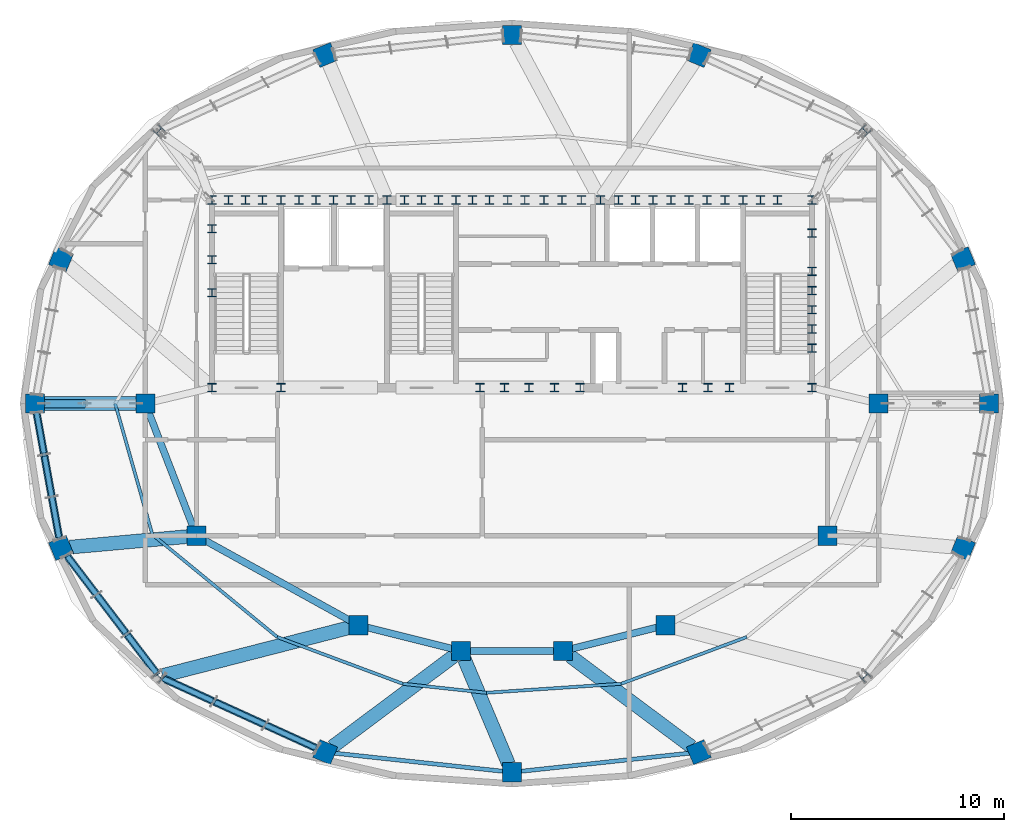
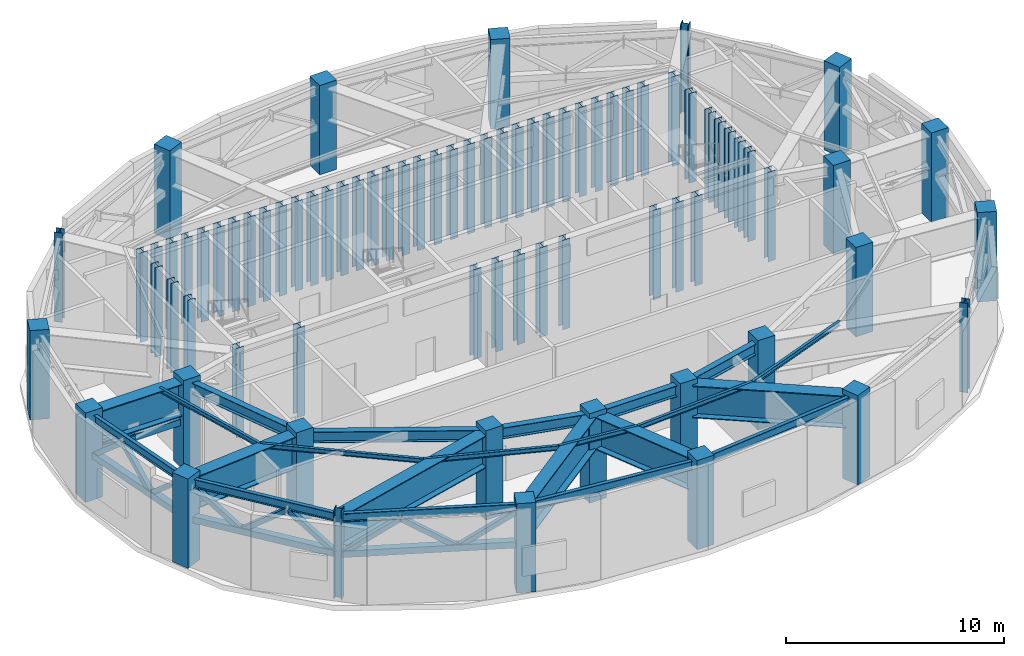
# One storey, part 1 of 15: 78 columns, 22 beams, 14 members.
"""IFC4 building model written with IfcOpenShell, lengths in metres."""

from ifc_helpers import new_model, si_unit, direction, frame, origin, origin_2d, place, context, subcontext, project, spatial, rectangle, hollow_rectangle, hollow_circle, i_section, extrude, material, material_profile, profile_set, type_object, element, save


model = new_model("IFC4")

# Units and contexts
model_context = context("Model", 3, precision=1e-05, world=origin(), true_north=direction((0.0, 1.0)))
body_context = subcontext(model_context, "Body", "Model", "MODEL_VIEW")
ifc_project = project(units=[si_unit("LENGTHUNIT", "METRE"), si_unit("AREAUNIT", "SQUARE_METRE"), si_unit("VOLUMEUNIT", "CUBIC_METRE"), si_unit("PLANEANGLEUNIT", "RADIAN"), si_unit("MASSUNIT", "GRAM", prefix="KILO")], contexts=[model_context])

# Site, building, storey
site_placement = place(None, origin())
site = spatial("IfcSite", under=ifc_project, at=site_placement, CompositionType="ELEMENT")
building_placement = place(site_placement, origin())
building = spatial("IfcBuilding", under=site, at=building_placement, Name="Haldorwick Loom Tower", CompositionType="ELEMENT")
storey_placement = place(building_placement, frame((0.0, 0.0, 286.5)))
storey = spatial("IfcBuildingStorey", under=building, at=storey_placement, Name="L77", CompositionType="ELEMENT", Elevation=286.5)

# Columns
ifc_material_1 = material(Name="Concrete C50 (50 MPa)", Category="concrete")
ifc_material_profile_1 = material_profile(ifc_material_1, rectangle(XDim=0.89990234375, YDim=0.89990234375, at=origin_2d()), Name="RC900X900", Category="concrete")
ifc_profile_set_1 = profile_set([ifc_material_profile_1], Name="Concrete C50 (50 MPa)")
column_type_1 = type_object("IfcColumnType", Name="STR-COL-RC900", PredefinedType="COLUMN", material=ifc_profile_set_1)
for number, where, z_axis, x_axis, name in (
    (1, (53.199951171875, 26.0, 0.0), (0.0, 0.0, 1.0), (1.0, 0.0, 0.0), "L77 Inner Column IC-01"),
    (2, (50.800048828125, 19.800048828125, 0.0), (0.0, 0.0, 1.0), (1.0, 0.0, 0.0), "L77 Inner Column IC-02"),
    (3, (43.199951171875, 15.60009765625, 0.0), (0.0, 0.0, 1.0), (1.0, 0.0, 0.0), "L77 Inner Column IC-03"),
    (4, (38.39990234375, 14.39990234375, 0.0), (0.0, 0.0, 1.0), (1.0, 0.0, 0.0), "L77 Inner Column IC-04"),
    (5, (33.60009765625, 14.39990234375, 0.0), (0.0, 0.0, 1.0), (1.0, 0.0, 0.0), "L77 Inner Column IC-05"),
    (6, (28.800048828125, 15.60009765625, 0.0), (0.0, 0.0, 1.0), (1.0, 0.0, 0.0), "L77 Inner Column IC-06"),
    (7, (21.199951171875, 19.800048828125, 0.0), (0.0, 0.0, 1.0), (1.0, 0.0, 0.0), "L77 Inner Column IC-07"),
    (8, (18.800048828125, 26.0, 0.0), (0.0, 0.0, 1.0), (1.0, 0.0, 0.0), "L77 Inner Column IC-08"),
    (9, (58.380859375, 26.0, 0.0), (0.0, 0.0, 1.0), (1.0, 0.0, 0.0), "L77 Perimeter Pier Column P01"),
    (10, (57.15673828125, 32.7734375, 0.0), (0.0, 0.0, 1.0), (0.923879532511, 0.382683432365, 0.0), "L77 Perimeter Pier Column P02"),
    (11, (44.763427734375, 42.352783203125, 0.0), (0.0, 0.0, 1.0), (0.382683432365, 0.923879532511, 0.0), "L77 Perimeter Pier Column P04"),
    (12, (36.0, 43.295166015625, 0.0), (0.0, 0.0, 1.0), (0.0, 1.0, 0.0), "L77 Perimeter Pier Column P05"),
    (13, (27.236572265625, 42.352783203125, 0.0), (0.0, 0.0, 1.0), (-0.382683432365, 0.923879532511, 0.0), "L77 Perimeter Pier Column P06"),
    (14, (14.84326171875, 32.7734375, 0.0), (0.0, 0.0, 1.0), (-0.923879532511, 0.382683432365, 0.0), "L77 Perimeter Pier Column P08"),
    (15, (13.619140625, 26.0, 0.0), (0.0, 0.0, 1.0), (-1.0, 0.0, 0.0), "L77 Perimeter Pier Column P09"),
    (16, (14.84326171875, 19.2265625, 0.0), (0.0, 0.0, 1.0), (-0.923879532511, -0.382683432365, 0.0), "L77 Perimeter Pier Column P10"),
    (17, (27.236572265625, 9.647216796875, 0.0), (0.0, 0.0, 1.0), (-0.382683432365, -0.923879532511, 0.0), "L77 Perimeter Pier Column P12"),
    (18, (36.0, 8.704833984375, 0.0), (0.0, 0.0, 1.0), (0.0, -1.0, 0.0), "L77 Perimeter Pier Column P13"),
    (19, (44.763427734375, 9.647216796875, 0.0), (0.0, 0.0, 1.0), (0.382683432365, -0.923879532511, 0.0), "L77 Perimeter Pier Column P14"),
    (20, (57.15673828125, 19.2265625, 0.0), (0.0, 0.0, 1.0), (0.923879532511, -0.382683432365, 0.0), "L77 Perimeter Pier Column P16"),
):
    element("IfcColumn", number, at=place(storey_placement, frame(where, z_axis=z_axis, x_axis=x_axis)), inside=storey, type_object=column_type_1, Name=name, PredefinedType="COLUMN", context=body_context, shape_type="SweptSolid", body=[
        extrude(rectangle(XDim=0.89990234375, YDim=0.89990234375, at=origin_2d()), origin(), (0.0, 0.0, 1.0), 5.0),
    ])
ifc_material_2 = material(Name="Steel CSA G40.21 350W", Category="steel")
ifc_material_profile_2 = material_profile(ifc_material_2, i_section(OverallWidth=0.39892578125, OverallDepth=0.39306640625, WebThickness=0.0185546875, FlangeThickness=0.029541015625, at=origin_2d()), Name="W360X287", Category="steel")
ifc_profile_set_2 = profile_set([ifc_material_profile_2], Name="Steel CSA G40.21 350W")
column_type_2 = type_object("IfcColumnType", Name="STR-COL-W360X287", PredefinedType="COLUMN", material=ifc_profile_set_2)
for number, where, z_axis, x_axis, name in (
    (21, (21.929931640625, 35.550048828125, 0.0), (0.0, 0.0, 1.0), (1.0, 0.0, 0.0), "L77 Core Pilaster CB-01"),
    (22, (23.5, 35.550048828125, 0.0), (0.0, 0.0, 1.0), (1.0, 0.0, 0.0), "L77 Core Pilaster CB-02"),
    (23, (25.169921875, 35.550048828125, 0.0), (0.0, 0.0, 1.0), (1.0, 0.0, 0.0), "L77 Core Pilaster CB-03"),
    (24, (26.800048828125, 35.550048828125, 0.0), (0.0, 0.0, 1.0), (1.0, 0.0, 0.0), "L77 Core Pilaster CB-04"),
    (25, (28.449951171875, 35.550048828125, 0.0), (0.0, 0.0, 1.0), (1.0, 0.0, 0.0), "L77 Core Pilaster CB-05"),
    (26, (30.1298828125, 35.550048828125, 0.0), (0.0, 0.0, 1.0), (1.0, 0.0, 0.0), "L77 Core Pilaster CB-06"),
    (27, (31.75, 35.550048828125, 0.0), (0.0, 0.0, 1.0), (1.0, 0.0, 0.0), "L77 Core Pilaster CB-07"),
    (28, (33.3701171875, 35.550048828125, 0.0), (0.0, 0.0, 1.0), (1.0, 0.0, 0.0), "L77 Core Pilaster CB-08"),
    (29, (34.949951171875, 35.550048828125, 0.0), (0.0, 0.0, 1.0), (1.0, 0.0, 0.0), "L77 Core Pilaster CB-09"),
    (30, (36.60009765625, 35.550048828125, 0.0), (0.0, 0.0, 1.0), (1.0, 0.0, 0.0), "L77 Core Pilaster CB-10"),
    (31, (38.35009765625, 35.550048828125, 0.0), (0.0, 0.0, 1.0), (1.0, 0.0, 0.0), "L77 Core Pilaster CB-11"),
    (32, (40.14990234375, 35.550048828125, 0.0), (0.0, 0.0, 1.0), (1.0, 0.0, 0.0), "L77 Core Pilaster CB-12"),
    (33, (41.800048828125, 35.550048828125, 0.0), (0.0, 0.0, 1.0), (1.0, 0.0, 0.0), "L77 Core Pilaster CB-13"),
    (34, (43.449951171875, 35.550048828125, 0.0), (0.0, 0.0, 1.0), (1.0, 0.0, 0.0), "L77 Core Pilaster CB-14"),
    (35, (45.14990234375, 35.550048828125, 0.0), (0.0, 0.0, 1.0), (1.0, 0.0, 0.0), "L77 Core Pilaster CB-15"),
    (36, (46.830078125, 35.550048828125, 0.0), (0.0, 0.0, 1.0), (1.0, 0.0, 0.0), "L77 Core Pilaster CB-16"),
    (37, (48.449951171875, 35.550048828125, 0.0), (0.0, 0.0, 1.0), (1.0, 0.0, 0.0), "L77 Core Pilaster CB-17"),
    (38, (50.070068359375, 35.550048828125, 0.0), (0.0, 0.0, 1.0), (1.0, 0.0, 0.0), "L77 Core Pilaster CB-18"),
    (39, (21.929931640625, 26.75, 0.0), (0.0, 0.0, 1.0), (1.0, 0.0, 0.0), "L77 Core Pilaster CB-19"),
    (40, (25.169921875, 26.75, 0.0), (0.0, 0.0, 1.0), (1.0, 0.0, 0.0), "L77 Core Pilaster CB-20"),
    (41, (34.5, 26.75, 0.0), (0.0, 0.0, 1.0), (1.0, 0.0, 0.0), "L77 Core Pilaster CB-21"),
    (42, (36.800048828125, 26.75, 0.0), (0.0, 0.0, 1.0), (1.0, 0.0, 0.0), "L77 Core Pilaster CB-22"),
    (43, (39.199951171875, 26.75, 0.0), (0.0, 0.0, 1.0), (1.0, 0.0, 0.0), "L77 Core Pilaster CB-23"),
    (44, (45.199951171875, 26.75, 0.0), (0.0, 0.0, 1.0), (1.0, 0.0, 0.0), "L77 Core Pilaster CB-24"),
    (45, (50.070068359375, 26.75, 0.0), (0.0, 0.0, 1.0), (1.0, 0.0, 0.0), "L77 Core Pilaster CB-25"),
    (46, (21.929931640625, 31.199951171875, 0.0), (0.0, 0.0, 1.0), (1.0, 0.0, 0.0), "L77 Core Pilaster CB-26"),
    (47, (21.929931640625, 32.75, 0.0), (0.0, 0.0, 1.0), (1.0, 0.0, 0.0), "L77 Core Pilaster CB-27"),
    (48, (21.929931640625, 34.199951171875, 0.0), (0.0, 0.0, 1.0), (1.0, 0.0, 0.0), "L77 Core Pilaster CB-28"),
    (49, (50.070068359375, 28.60009765625, 0.0), (0.0, 0.0, 1.0), (1.0, 0.0, 0.0), "L77 Core Pilaster CB-29"),
    (50, (50.070068359375, 30.39990234375, 0.0), (0.0, 0.0, 1.0), (1.0, 0.0, 0.0), "L77 Core Pilaster CB-30"),
    (51, (50.070068359375, 32.199951171875, 0.0), (0.0, 0.0, 1.0), (1.0, 0.0, 0.0), "L77 Core Pilaster CB-31"),
    (52, (50.070068359375, 34.0, 0.0), (0.0, 0.0, 1.0), (1.0, 0.0, 0.0), "L77 Core Pilaster CB-32"),
    (53, (22.699951171875, 35.550048828125, 0.0), (0.0, 0.0, 1.0), (1.0, 0.0, 0.0), "L77 Core Pilaster CB-33"),
    (54, (27.6201171875, 35.550048828125, 0.0), (0.0, 0.0, 1.0), (1.0, 0.0, 0.0), "L77 Core Pilaster CB-34"),
    (55, (32.550048828125, 35.550048828125, 0.0), (0.0, 0.0, 1.0), (1.0, 0.0, 0.0), "L77 Core Pilaster CB-35"),
    (56, (37.5, 35.550048828125, 0.0), (0.0, 0.0, 1.0), (1.0, 0.0, 0.0), "L77 Core Pilaster CB-36"),
    (57, (42.6201171875, 35.550048828125, 0.0), (0.0, 0.0, 1.0), (1.0, 0.0, 0.0), "L77 Core Pilaster CB-37"),
    (58, (47.64990234375, 35.550048828125, 0.0), (0.0, 0.0, 1.0), (1.0, 0.0, 0.0), "L77 Core Pilaster CB-38"),
    (59, (24.300048828125, 35.550048828125, 0.0), (0.0, 0.0, 1.0), (1.0, 0.0, 0.0), "L77 Core Pilaster CB-39"),
    (60, (26.0, 35.550048828125, 0.0), (0.0, 0.0, 1.0), (1.0, 0.0, 0.0), "L77 Core Pilaster CB-40"),
    (61, (29.300048828125, 35.550048828125, 0.0), (0.0, 0.0, 1.0), (1.0, 0.0, 0.0), "L77 Core Pilaster CB-41"),
    (62, (30.949951171875, 35.550048828125, 0.0), (0.0, 0.0, 1.0), (1.0, 0.0, 0.0), "L77 Core Pilaster CB-42"),
    (63, (34.14990234375, 35.550048828125, 0.0), (0.0, 0.0, 1.0), (1.0, 0.0, 0.0), "L77 Core Pilaster CB-43"),
    (64, (35.800048828125, 35.550048828125, 0.0), (0.0, 0.0, 1.0), (1.0, 0.0, 0.0), "L77 Core Pilaster CB-44"),
    (65, (39.25, 35.550048828125, 0.0), (0.0, 0.0, 1.0), (1.0, 0.0, 0.0), "L77 Core Pilaster CB-45"),
    (66, (41.0, 35.550048828125, 0.0), (0.0, 0.0, 1.0), (1.0, 0.0, 0.0), "L77 Core Pilaster CB-46"),
    (67, (44.300048828125, 35.550048828125, 0.0), (0.0, 0.0, 1.0), (1.0, 0.0, 0.0), "L77 Core Pilaster CB-47"),
    (68, (46.0, 35.550048828125, 0.0), (0.0, 0.0, 1.0), (1.0, 0.0, 0.0), "L77 Core Pilaster CB-48"),
    (69, (50.070068359375, 29.5, 0.0), (0.0, 0.0, 1.0), (1.0, 0.0, 0.0), "L77 Core Pilaster CB-49"),
    (70, (50.070068359375, 31.300048828125, 0.0), (0.0, 0.0, 1.0), (1.0, 0.0, 0.0), "L77 Core Pilaster CB-50"),
    (71, (35.64990234375, 26.75, 0.0), (0.0, 0.0, 1.0), (1.0, 0.0, 0.0), "L77 Core Pilaster CB-51"),
    (72, (38.0, 26.75, 0.0), (0.0, 0.0, 1.0), (1.0, 0.0, 0.0), "L77 Core Pilaster CB-52"),
    (73, (44.0, 26.75, 0.0), (0.0, 0.0, 1.0), (1.0, 0.0, 0.0), "L77 Core Pilaster CB-53"),
    (74, (46.199951171875, 26.75, 0.0), (0.0, 0.0, 1.0), (1.0, 0.0, 0.0), "L77 Core Pilaster CB-54"),
    (75, (52.559814453125, 38.802001953125, 0.0), (0.0, 0.0, 1.0), (0.707106781187, 0.707106781187, 0.0), "L77 Perimeter Pier Column P03"),
    (76, (19.440185546875, 38.802001953125, 0.0), (0.0, 0.0, 1.0), (-0.707106781187, 0.707106781187, 0.0), "L77 Perimeter Pier Column P07"),
    (77, (19.440185546875, 13.197998046875, 0.0), (0.0, 0.0, 1.0), (-0.707106781187, -0.707106781187, 0.0), "L77 Perimeter Pier Column P11"),
    (78, (52.559814453125, 13.197998046875, 0.0), (0.0, 0.0, 1.0), (0.707106781187, -0.707106781187, 0.0), "L77 Perimeter Pier Column P15"),
):
    element("IfcColumn", number, at=place(storey_placement, frame(where, z_axis=z_axis, x_axis=x_axis)), inside=storey, type_object=column_type_2, Name=name, PredefinedType="COLUMN", context=body_context, shape_type="SweptSolid", body=[
        extrude(i_section(OverallWidth=0.39892578125, OverallDepth=0.39306640625, WebThickness=0.0185546875, FlangeThickness=0.029541015625, at=origin_2d()), origin(), (0.0, 0.0, 1.0), 5.0),
    ])

# Beams
ifc_material_profile_3 = material_profile(ifc_material_2, i_section(OverallWidth=0.14599609375, OverallDepth=0.258056640625, WebThickness=0.006103515625, FlangeThickness=0.009033203125, at=origin_2d()), Name="W250X33", Category="steel")
ifc_profile_set_3 = profile_set([ifc_material_profile_3], Name="Steel CSA G40.21 350W")
beam_type_1 = type_object("IfcBeamType", Name="STR-BM-J250", PredefinedType="JOIST", material=ifc_profile_set_3)
beam_1_placement = place(storey_placement, frame((17.38330078125, 26.0, 4.591064453125), z_axis=(0.273579780374, -0.961849314482, 0.0), x_axis=(0.961849314482, 0.273579780374, 0.0)))
element("IfcBeam", 79, at=beam_1_placement, inside=storey, type_object=beam_type_1, Name="L77 Mid-Bay Secondary Joist 9", PredefinedType="JOIST", context=body_context, shape_type="SweptSolid", body=[
    extrude(i_section(OverallWidth=0.14599609375, OverallDepth=0.258056640625, WebThickness=0.006103515625, FlangeThickness=0.009033203125, at=origin_2d()), origin(), (0.0, 0.0, 1.0), 6.385986328125),
])
beam_2_placement = place(storey_placement, frame((19.13037109375, 19.857666015625, 4.591064453125), z_axis=(0.772901177017, -0.634526414396, 0.0), x_axis=(0.634526414396, 0.772901177017, 0.0)))
element("IfcBeam", 80, at=beam_2_placement, inside=storey, type_object=beam_type_1, Name="L77 Mid-Bay Secondary Joist 10", PredefinedType="JOIST", context=body_context, shape_type="SweptSolid", body=[
    extrude(i_section(OverallWidth=0.14599609375, OverallDepth=0.258056640625, WebThickness=0.006103515625, FlangeThickness=0.009033203125, at=origin_2d()), origin(), (0.0, 0.0, 1.0), 7.577880859375),
])
beam_3_placement = place(storey_placement, frame((24.9873046875, 15.04931640625, 4.591064453125), z_axis=(0.937096315822, -0.349070902358, 0.0), x_axis=(0.349070902358, 0.937096315822, 0.0)))
element("IfcBeam", 81, at=beam_3_placement, inside=storey, type_object=beam_type_1, Name="L77 Mid-Bay Secondary Joist 11", PredefinedType="JOIST", context=body_context, shape_type="SweptSolid", body=[
    extrude(i_section(OverallWidth=0.14599609375, OverallDepth=0.258056640625, WebThickness=0.006103515625, FlangeThickness=0.009033203125, at=origin_2d()), origin(), (0.0, 0.0, 1.0), 6.285400390625),
])
beam_4_placement = place(storey_placement, frame((30.87744140625, 12.855224609375, 4.591064453125), z_axis=(0.994246477225, -0.107116490451, 0.0), x_axis=(0.107116490451, 0.994246477225, 0.0)))
element("IfcBeam", 82, at=beam_4_placement, inside=storey, type_object=beam_type_1, Name="L77 Mid-Bay Secondary Joist 12", PredefinedType="JOIST", context=body_context, shape_type="SweptSolid", body=[
    extrude(i_section(OverallWidth=0.14599609375, OverallDepth=0.258056640625, WebThickness=0.006103515625, FlangeThickness=0.009033203125, at=origin_2d()), origin(), (0.0, 0.0, 1.0), 3.9453125),
])
beam_5_placement = place(storey_placement, frame((34.800048828125, 12.4326171875, 4.591064453125), z_axis=(0.997773550047, 0.066692899376, 0.0), x_axis=(-0.066692899376, 0.997773550047, 0.0)))
element("IfcBeam", 83, at=beam_5_placement, inside=storey, type_object=beam_type_1, Name="L77 Mid-Bay Secondary Joist 13", PredefinedType="JOIST", context=body_context, shape_type="SweptSolid", body=[
    extrude(i_section(OverallWidth=0.14599609375, OverallDepth=0.258056640625, WebThickness=0.006103515625, FlangeThickness=0.009033203125, at=origin_2d()), origin(), (0.0, 0.0, 1.0), 6.336669921875),
])
beam_6_placement = place(storey_placement, frame((41.12255859375, 12.855224609375, 4.591064453125), z_axis=(0.937096315822, 0.349070902358, 0.0), x_axis=(-0.349070902358, 0.937096315822, 0.0)))
element("IfcBeam", 84, at=beam_6_placement, inside=storey, type_object=beam_type_1, Name="L77 Mid-Bay Secondary Joist 14", PredefinedType="JOIST", context=body_context, shape_type="SweptSolid", body=[
    extrude(i_section(OverallWidth=0.14599609375, OverallDepth=0.258056640625, WebThickness=0.006103515625, FlangeThickness=0.009033203125, at=origin_2d()), origin(), (0.0, 0.0, 1.0), 6.285400390625),
])
ifc_material_profile_4 = material_profile(ifc_material_2, i_section(OverallWidth=0.193115234375, OverallDepth=0.466064453125, WebThickness=0.011474609375, FlangeThickness=0.01904296875, at=origin_2d()), Name="W460X97", Category="steel")
ifc_profile_set_4 = profile_set([ifc_material_profile_4], Name="Steel CSA G40.21 350W")
beam_type_2 = type_object("IfcBeamType", Name="STR-BM-SP460", PredefinedType="SPANDREL", material=ifc_profile_set_4)
beam_7_placement = place(storey_placement, frame((13.69482421875, 25.581787109375, 4.487060546875), z_axis=(0.177809893073, -0.984064856565, 0.0), x_axis=(0.984064856565, 0.177809893073, 0.0)))
element("IfcBeam", 85, at=beam_7_placement, inside=storey, type_object=beam_type_2, Name="L77 Perimeter Spandrel 9", PredefinedType="SPANDREL", context=body_context, shape_type="SweptSolid", body=[
    extrude(i_section(OverallWidth=0.193115234375, OverallDepth=0.466064453125, WebThickness=0.011474609375, FlangeThickness=0.01904296875, at=origin_2d()), origin(), (0.0, 0.0, 1.0), 6.033203125),
])
beam_8_placement = place(storey_placement, frame((15.100830078125, 18.888427734375, 4.487060546875), z_axis=(0.606384376075, -0.795171672315, 0.0), x_axis=(0.795171672315, 0.606384376075, 0.0)))
element("IfcBeam", 86, at=beam_8_placement, inside=storey, type_object=beam_type_2, Name="L77 Perimeter Spandrel 10", PredefinedType="SPANDREL", context=body_context, shape_type="SweptSolid", body=[
    extrude(i_section(OverallWidth=0.193115234375, OverallDepth=0.466064453125, WebThickness=0.011474609375, FlangeThickness=0.01904296875, at=origin_2d()), origin(), (0.0, 0.0, 1.0), 6.984619140625),
])
beam_9_placement = place(storey_placement, frame((19.59619140625, 13.126953125, 4.487060546875), z_axis=(0.910060964072, -0.414474416185, 0.0), x_axis=(0.414474416185, 0.910060964072, 0.0)))
element("IfcBeam", 87, at=beam_9_placement, inside=storey, type_object=beam_type_2, Name="L77 Perimeter Spandrel 11", PredefinedType="SPANDREL", context=body_context, shape_type="SweptSolid", body=[
    extrude(i_section(OverallWidth=0.193115234375, OverallDepth=0.466064453125, WebThickness=0.011474609375, FlangeThickness=0.01904296875, at=origin_2d()), origin(), (0.0, 0.0, 1.0), 7.97021484375),
])
for number, where, z_axis, x_axis, name in (
    (88, (27.6591796875, 9.601806640625, 4.487060546875), (0.994266744602, -0.106928202916, 0.0), (0.106928202916, 0.994266744602, 0.0), "L77 Perimeter Spandrel 12"),
    (89, (36.422607421875, 8.750244140625, 4.487060546875), (0.994266744602, 0.106928202916, 0.0), (-0.106928202916, 0.994266744602, 0.0), "L77 Perimeter Spandrel 13"),
):
    element("IfcBeam", number, at=place(storey_placement, frame(where, z_axis=z_axis, x_axis=x_axis)), inside=storey, type_object=beam_type_2, Name=name, PredefinedType="SPANDREL", context=body_context, shape_type="SweptSolid", body=[
        extrude(i_section(OverallWidth=0.193115234375, OverallDepth=0.466064453125, WebThickness=0.011474609375, FlangeThickness=0.01904296875, at=origin_2d()), origin(), (0.0, 0.0, 1.0), 7.9638671875),
    ])
ifc_material_3 = material(Name="Steel CSA G40.21 350WT", Category="steel")
ifc_material_profile_5 = material_profile(ifc_material_3, i_section(OverallWidth=0.64990234375, OverallDepth=1.800048828125, WebThickness=0.02587890625, FlangeThickness=0.048095703125, at=origin_2d()), Name="WWF1800X650", Category="steel")
ifc_profile_set_5 = profile_set([ifc_material_profile_5], Name="Steel CSA G40.21 350WT")
beam_type_3 = type_object("IfcBeamType", Name="STR-BM-TG1800", PredefinedType="BEAM", material=ifc_profile_set_5)
beam_10_placement = place(storey_placement, frame((18.375, 26.0, 3.820068359375), z_axis=(-1.0, 0.0, 0.0), x_axis=(0.0, -1.0, 0.0)))
element("IfcBeam", 90, at=beam_10_placement, inside=storey, type_object=beam_type_3, Name="L77 Setback Inner Transfer Girder 9", PredefinedType="BEAM", context=body_context, shape_type="SweptSolid", body=[
    extrude(i_section(OverallWidth=0.64990234375, OverallDepth=1.800048828125, WebThickness=0.02587890625, FlangeThickness=0.048095703125, at=origin_2d()), origin(), (0.0, 0.0, 1.0), 4.330810546875),
])
beam_11_placement = place(storey_placement, frame((20.776611328125, 19.76171875, 3.820068359375), z_axis=(-0.995955545461, -0.08984737873, 0.0), x_axis=(0.08984737873, -0.995955545461, 0.0)))
element("IfcBeam", 91, at=beam_11_placement, inside=storey, type_object=beam_type_3, Name="L77 Setback Inner Transfer Girder 10", PredefinedType="BEAM", context=body_context, shape_type="SweptSolid", body=[
    extrude(i_section(OverallWidth=0.64990234375, OverallDepth=1.800048828125, WebThickness=0.02587890625, FlangeThickness=0.048095703125, at=origin_2d()), origin(), (0.0, 0.0, 1.0), 5.532470703125),
])
beam_12_placement = place(storey_placement, frame((28.38818359375, 15.494384765625, 3.820068359375), z_axis=(-0.968607693966, -0.248594318498, 0.0), x_axis=(0.248594318498, -0.968607693966, 0.0)))
element("IfcBeam", 92, at=beam_12_placement, inside=storey, type_object=beam_type_3, Name="L77 Setback Inner Transfer Girder 11", PredefinedType="BEAM", context=body_context, shape_type="SweptSolid", body=[
    extrude(i_section(OverallWidth=0.64990234375, OverallDepth=1.800048828125, WebThickness=0.02587890625, FlangeThickness=0.048095703125, at=origin_2d()), origin(), (0.0, 0.0, 1.0), 9.066650390625),
])
beam_13_placement = place(storey_placement, frame((33.259521484375, 14.145751953125, 3.820068359375), z_axis=(-0.801204527525, -0.598390595742, 0.0), x_axis=(0.598390595742, -0.801204527525, 0.0)))
element("IfcBeam", 93, at=beam_13_placement, inside=storey, type_object=beam_type_3, Name="L77 Setback Inner Transfer Girder 12", PredefinedType="BEAM", context=body_context, shape_type="SweptSolid", body=[
    extrude(i_section(OverallWidth=0.64990234375, OverallDepth=1.800048828125, WebThickness=0.02587890625, FlangeThickness=0.048095703125, at=origin_2d()), origin(), (0.0, 0.0, 1.0), 7.092529296875),
])
beam_14_placement = place(storey_placement, frame((33.764892578125, 14.00830078125, 3.820068359375), z_axis=(0.388362079437, -0.921506861209, 0.0), x_axis=(0.921506861209, 0.388362079437, 0.0)))
element("IfcBeam", 94, at=beam_14_placement, inside=storey, type_object=beam_type_3, Name="L77 Setback Inner Transfer Girder 13", PredefinedType="BEAM", context=body_context, shape_type="SweptSolid", body=[
    extrude(i_section(OverallWidth=0.64990234375, OverallDepth=1.800048828125, WebThickness=0.02587890625, FlangeThickness=0.048095703125, at=origin_2d()), origin(), (0.0, 0.0, 1.0), 5.330322265625),
])
beam_15_placement = place(storey_placement, frame((38.740478515625, 14.145751953125, 3.820068359375), z_axis=(0.801204527525, -0.598390595742, 0.0), x_axis=(0.598390595742, 0.801204527525, 0.0)))
element("IfcBeam", 95, at=beam_15_placement, inside=storey, type_object=beam_type_3, Name="L77 Setback Inner Transfer Girder 14", PredefinedType="BEAM", context=body_context, shape_type="SweptSolid", body=[
    extrude(i_section(OverallWidth=0.64990234375, OverallDepth=1.800048828125, WebThickness=0.02587890625, FlangeThickness=0.048095703125, at=origin_2d()), origin(), (0.0, 0.0, 1.0), 7.092529296875),
])
ifc_material_profile_6 = material_profile(ifc_material_2, i_section(OverallWidth=0.324951171875, OverallDepth=0.615966796875, WebThickness=0.013916015625, FlangeThickness=0.021484375, at=origin_2d()), Name="W610X174", Category="steel")
ifc_profile_set_6 = profile_set([ifc_material_profile_6], Name="Steel CSA G40.21 350W")
beam_type_4 = type_object("IfcBeamType", Name="STR-BM-W610A", PredefinedType="BEAM", material=ifc_profile_set_6)
beam_16_placement = place(storey_placement, frame((42.78759765625, 15.496826171875, 4.412109375), z_axis=(-0.97015301348, -0.242493567823, 0.0), x_axis=(0.242493567823, -0.97015301348, 0.0)))
element("IfcBeam", 96, at=beam_16_placement, inside=storey, type_object=beam_type_4, Name="L77 Inner Ring Girder 4", PredefinedType="BEAM", context=body_context, shape_type="SweptSolid", body=[
    extrude(i_section(OverallWidth=0.324951171875, OverallDepth=0.615966796875, WebThickness=0.013916015625, FlangeThickness=0.021484375, at=origin_2d()), origin(), (0.0, 0.0, 1.0), 4.09765625),
])
beam_17_placement = place(storey_placement, frame((37.97509765625, 14.39990234375, 4.412109375), z_axis=(-1.0, 0.0, 0.0), x_axis=(0.0, -1.0, 0.0)))
element("IfcBeam", 97, at=beam_17_placement, inside=storey, type_object=beam_type_4, Name="L77 Inner Ring Girder 5", PredefinedType="BEAM", context=body_context, shape_type="SweptSolid", body=[
    extrude(i_section(OverallWidth=0.324951171875, OverallDepth=0.615966796875, WebThickness=0.013916015625, FlangeThickness=0.021484375, at=origin_2d()), origin(), (0.0, 0.0, 1.0), 3.9501953125),
])
beam_18_placement = place(storey_placement, frame((33.187744140625, 14.503173828125, 4.412109375), z_axis=(-0.97015301348, 0.242493567823, 0.0), x_axis=(-0.242493567823, -0.97015301348, 0.0)))
element("IfcBeam", 98, at=beam_18_placement, inside=storey, type_object=beam_type_4, Name="L77 Inner Ring Girder 6", PredefinedType="BEAM", context=body_context, shape_type="SweptSolid", body=[
    extrude(i_section(OverallWidth=0.324951171875, OverallDepth=0.615966796875, WebThickness=0.013916015625, FlangeThickness=0.021484375, at=origin_2d()), origin(), (0.0, 0.0, 1.0), 4.09765625),
])
beam_19_placement = place(storey_placement, frame((28.427978515625, 15.8056640625, 4.412109375), z_axis=(-0.875241535439, 0.48368611169, 0.0), x_axis=(-0.48368611169, -0.875241535439, 0.0)))
element("IfcBeam", 99, at=beam_19_placement, inside=storey, type_object=beam_type_4, Name="L77 Inner Ring Girder 7", PredefinedType="BEAM", context=body_context, shape_type="SweptSolid", body=[
    extrude(i_section(OverallWidth=0.324951171875, OverallDepth=0.615966796875, WebThickness=0.013916015625, FlangeThickness=0.021484375, at=origin_2d()), origin(), (0.0, 0.0, 1.0), 7.833251953125),
])
beam_20_placement = place(storey_placement, frame((21.046630859375, 20.1962890625, 4.412109375), z_axis=(-0.361001189766, 0.932565354808, 0.0), x_axis=(-0.932565354808, -0.361001189766, 0.0)))
element("IfcBeam", 100, at=beam_20_placement, inside=storey, type_object=beam_type_4, Name="L77 Inner Ring Girder 8", PredefinedType="BEAM", context=body_context, shape_type="SweptSolid", body=[
    extrude(i_section(OverallWidth=0.324951171875, OverallDepth=0.615966796875, WebThickness=0.013916015625, FlangeThickness=0.021484375, at=origin_2d()), origin(), (0.0, 0.0, 1.0), 5.798583984375),
])

# Members
ifc_material_profile_7 = material_profile(ifc_material_2, hollow_rectangle(XDim=0.25390625, YDim=0.25390625, WallThickness=0.0126953125, at=origin_2d()), Name="HSS254X254X13", Category="steel")
ifc_profile_set_7 = profile_set([ifc_material_profile_7], Name="Steel CSA G40.21 350W")
member_type_1 = type_object("IfcMemberType", Name="STR-MEM-BR254", PredefinedType="BRACE", material=ifc_profile_set_7)
for number, where, z_axis, x_axis, name in (
    (101, (13.69482421875, 25.581787109375, 2.5), (0.134035654737, -0.741633458906, 0.65727791374), (0.984057775146, 0.177849079767, 0.0), "L77 Perimeter Belt Truss Web Diagonal 9-1"),
    (102, (14.052490234375, 23.602783203125, 4.25390625), (0.133945804873, -0.741642550753, -0.657285971454), (0.984079015025, 0.177731517147, 0.0), "L77 Perimeter Belt Truss Web Diagonal 9-2"),
    (103, (14.409912109375, 21.623779296875, 2.5), (0.134035654737, -0.741633458906, 0.65727791374), (0.984057775146, 0.177849079767, 0.0), "L77 Perimeter Belt Truss Web Diagonal 9-3"),
):
    element("IfcMember", number, at=place(storey_placement, frame(where, z_axis=z_axis, x_axis=x_axis)), inside=storey, type_object=member_type_1, Name=name, PredefinedType="BRACE", context=body_context, shape_type="SweptSolid", body=[
        extrude(hollow_rectangle(XDim=0.25390625, YDim=0.25390625, WallThickness=0.0126953125, at=origin_2d()), origin(), (0.0, 0.0, 1.0), 2.66845703125),
    ])
member_1_placement = place(storey_placement, frame((15.100830078125, 18.888427734375, 4.25390625), z_axis=(0.484353249728, -0.635111653586, -0.601693540731), x_axis=(0.795154818191, 0.606406476803, 0.0)))
element("IfcMember", 104, at=member_1_placement, inside=storey, type_object=member_type_1, Name="L77 Perimeter Belt Truss Web Diagonal 10-1", PredefinedType="BRACE", context=body_context, shape_type="SweptSolid", body=[
    extrude(hollow_rectangle(XDim=0.25390625, YDim=0.25390625, WallThickness=0.0126953125, at=origin_2d()), origin(), (0.0, 0.0, 1.0), 2.9150390625),
])
member_2_placement = place(storey_placement, frame((16.5126953125, 17.037109375, 2.5), z_axis=(0.484289139842, -0.635137417403, 0.601717948915), x_axis=(0.795205380865, 0.606340170402, 0.0)))
element("IfcMember", 105, at=member_2_placement, inside=storey, type_object=member_type_1, Name="L77 Perimeter Belt Truss Web Diagonal 10-2", PredefinedType="BRACE", context=body_context, shape_type="SweptSolid", body=[
    extrude(hollow_rectangle(XDim=0.25390625, YDim=0.25390625, WallThickness=0.0126953125, at=origin_2d()), origin(), (0.0, 0.0, 1.0), 2.914794921875),
])
member_3_placement = place(storey_placement, frame((17.92431640625, 15.185791015625, 4.25390625), z_axis=(0.484353249728, -0.635111653586, -0.601693540731), x_axis=(0.795154818191, 0.606406476803, 0.0)))
element("IfcMember", 106, at=member_3_placement, inside=storey, type_object=member_type_1, Name="L77 Perimeter Belt Truss Web Diagonal 10-3", PredefinedType="BRACE", context=body_context, shape_type="SweptSolid", body=[
    extrude(hollow_rectangle(XDim=0.25390625, YDim=0.25390625, WallThickness=0.0126953125, at=origin_2d()), origin(), (0.0, 0.0, 1.0), 2.9150390625),
])
member_4_placement = place(storey_placement, frame((19.59619140625, 13.126953125, 2.5), z_axis=(0.759462024958, -0.345949025001, 0.550941652762), x_axis=(0.414536708105, 0.910032591523, 0.0)))
element("IfcMember", 107, at=member_4_placement, inside=storey, type_object=member_type_1, Name="L77 Perimeter Belt Truss Web Diagonal 11-1", PredefinedType="BRACE", context=body_context, shape_type="SweptSolid", body=[
    extrude(hollow_rectangle(XDim=0.25390625, YDim=0.25390625, WallThickness=0.0126953125, at=origin_2d()), origin(), (0.0, 0.0, 1.0), 3.183349609375),
])
member_5_placement = place(storey_placement, frame((22.013916015625, 12.025634765625, 4.25390625), z_axis=(0.759514624974, -0.345861364967, -0.550924178697), x_axis=(0.414425940169, 0.91008304023, 0.0)))
element("IfcMember", 108, at=member_5_placement, inside=storey, type_object=member_type_1, Name="L77 Perimeter Belt Truss Web Diagonal 11-2", PredefinedType="BRACE", context=body_context, shape_type="SweptSolid", body=[
    extrude(hollow_rectangle(XDim=0.25390625, YDim=0.25390625, WallThickness=0.0126953125, at=origin_2d()), origin(), (0.0, 0.0, 1.0), 3.18359375),
])
member_6_placement = place(storey_placement, frame((24.431884765625, 10.924560546875, 2.5), z_axis=(0.75948217271, -0.345881510545, 0.550956268681), x_axis=(0.414460600356, 0.91006725617, 0.0)))
element("IfcMember", 109, at=member_6_placement, inside=storey, type_object=member_type_1, Name="L77 Perimeter Belt Truss Web Diagonal 11-3", PredefinedType="BRACE", context=body_context, shape_type="SweptSolid", body=[
    extrude(hollow_rectangle(XDim=0.25390625, YDim=0.25390625, WallThickness=0.0126953125, at=origin_2d()), origin(), (0.0, 0.0, 1.0), 3.183349609375),
])
ifc_material_profile_8 = material_profile(ifc_material_2, hollow_circle(Radius=0.203125, WallThickness=0.0126953125, at=origin_2d()), Name="HSS406X13", Category="steel")
ifc_profile_set_8 = profile_set([ifc_material_profile_8], Name="Steel CSA G40.21 350W")
member_type_2 = type_object("IfcMemberType", Name="STR-MEM-BR406C", PredefinedType="BRACE", material=ifc_profile_set_8)
member_7_placement = place(storey_placement, frame((15.96630859375, 26.0, 2.5), z_axis=(-0.976957458793, 0.0, 0.2134341203), x_axis=(0.0, -1.0, 0.0)))
element("IfcMember", 110, at=member_7_placement, inside=storey, type_object=member_type_2, Name="L77 Outrigger OT-W Outer Diagonal", PredefinedType="BRACE", context=body_context, shape_type="SweptSolid", body=[
    extrude(hollow_circle(Radius=0.203125, WallThickness=0.0126953125, at=origin_2d()), origin(), (0.0, 0.0, 1.0), 1.967529296875),
])
ifc_material_profile_9 = material_profile(ifc_material_2, hollow_rectangle(XDim=0.355712890625, YDim=0.355712890625, WallThickness=0.015869140625, at=origin_2d()), Name="HSS356X356X16", Category="steel")
ifc_profile_set_9 = profile_set([ifc_material_profile_9], Name="Steel CSA G40.21 350W")
member_type_3 = type_object("IfcMemberType", Name="STR-MEM-CH356", PredefinedType="CHORD", material=ifc_profile_set_9)
member_8_placement = place(storey_placement, frame((13.69482421875, 25.581787109375, 2.5), z_axis=(0.177809893073, -0.984064856565, 0.0), x_axis=(0.984064856565, 0.177809893073, 0.0)))
element("IfcMember", 111, at=member_8_placement, inside=storey, type_object=member_type_3, Name="L77 Perimeter Belt Truss Bottom Chord 9", PredefinedType="CHORD", context=body_context, shape_type="SweptSolid", body=[
    extrude(hollow_rectangle(XDim=0.355712890625, YDim=0.355712890625, WallThickness=0.015869140625, at=origin_2d()), origin(), (0.0, 0.0, 1.0), 6.033203125),
])
member_9_placement = place(storey_placement, frame((15.100830078125, 18.888427734375, 2.5), z_axis=(0.606384376075, -0.795171672315, 0.0), x_axis=(0.795171672315, 0.606384376075, 0.0)))
element("IfcMember", 112, at=member_9_placement, inside=storey, type_object=member_type_3, Name="L77 Perimeter Belt Truss Bottom Chord 10", PredefinedType="CHORD", context=body_context, shape_type="SweptSolid", body=[
    extrude(hollow_rectangle(XDim=0.355712890625, YDim=0.355712890625, WallThickness=0.015869140625, at=origin_2d()), origin(), (0.0, 0.0, 1.0), 6.984619140625),
])
member_10_placement = place(storey_placement, frame((19.59619140625, 13.126953125, 2.5), z_axis=(0.910060964072, -0.414474416185, 0.0), x_axis=(0.414474416185, 0.910060964072, 0.0)))
element("IfcMember", 113, at=member_10_placement, inside=storey, type_object=member_type_3, Name="L77 Perimeter Belt Truss Bottom Chord 11", PredefinedType="CHORD", context=body_context, shape_type="SweptSolid", body=[
    extrude(hollow_rectangle(XDim=0.355712890625, YDim=0.355712890625, WallThickness=0.015869140625, at=origin_2d()), origin(), (0.0, 0.0, 1.0), 7.97021484375),
])
member_11_placement = place(storey_placement, frame((18.375, 26.0, 2.5), z_axis=(-1.0, 0.0, 0.0), x_axis=(0.0, -1.0, 0.0)))
element("IfcMember", 114, at=member_11_placement, inside=storey, type_object=member_type_3, Name="L77 Outrigger OT-W Bottom Chord", PredefinedType="CHORD", context=body_context, shape_type="SweptSolid", body=[
    extrude(hollow_rectangle(XDim=0.355712890625, YDim=0.355712890625, WallThickness=0.015869140625, at=origin_2d()), origin(), (0.0, 0.0, 1.0), 4.330810546875),
])

save(model, "model.ifc")
